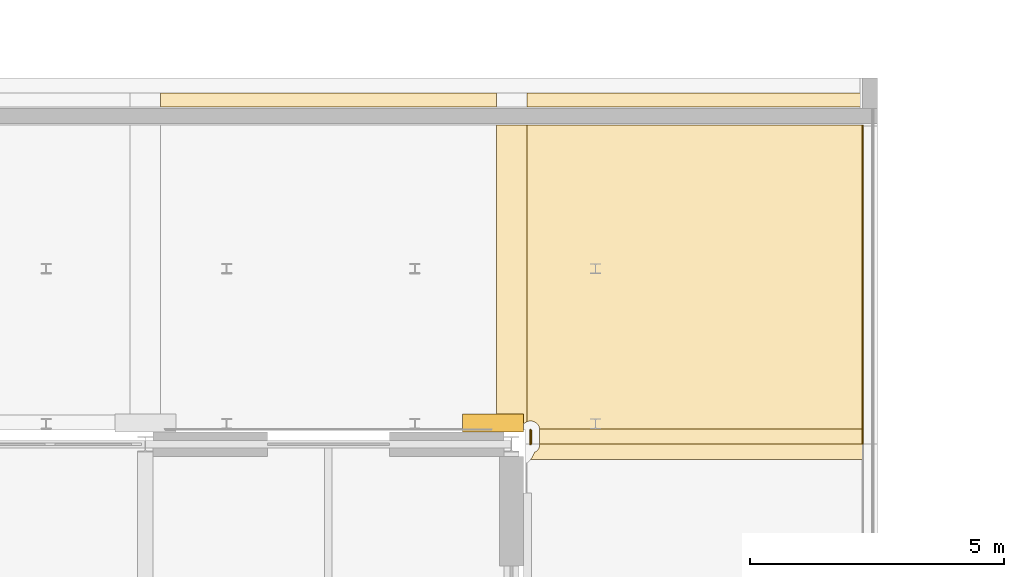
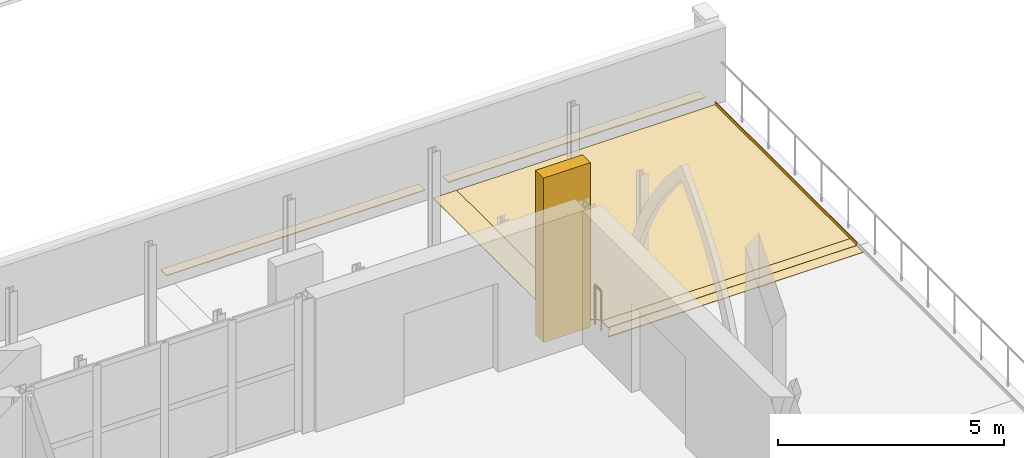
# One storey, part 136 of 143: 8 coverings, 1 railing.
"""IFC4 building model written with IfcOpenShell, lengths in metres."""

from ifc_helpers import new_model, si_unit, direction, frame, origin, origin_2d, place, context, subcontext, project, spatial, polyline, rectangle, circle, outline, extrude, material, layer, layer_set, type_object, element, save


model = new_model("IFC4")

# Units and contexts
model_context = context("Model", 3, precision=1e-05, world=origin(), true_north=direction((0.0, 1.0)))
body_context = subcontext(model_context, "Body", "Model", "MODEL_VIEW")
ifc_project = project(units=[si_unit("LENGTHUNIT", "METRE"), si_unit("AREAUNIT", "SQUARE_METRE"), si_unit("VOLUMEUNIT", "CUBIC_METRE"), si_unit("PLANEANGLEUNIT", "RADIAN"), si_unit("MASSUNIT", "GRAM", prefix="KILO")], contexts=[model_context])

# Site, building, storey
site_placement = place(None, origin())
site = spatial("IfcSite", under=ifc_project, at=site_placement, CompositionType="ELEMENT")
building_placement = place(site_placement, origin())
building = spatial("IfcBuilding", under=site, at=building_placement, Name="Kupolbacken Congress Centre", CompositionType="ELEMENT")
storey_placement = place(building_placement, frame((0.0, 0.0, 7.199951171875)))
storey = spatial("IfcBuildingStorey", under=building, at=storey_placement, Name="L02", CompositionType="ELEMENT", Elevation=7.199951171875)

# Coverings
ifc_material_1 = material(Name="Limestone cladding", Category="masonry")
ifc_layer_1 = layer(ifc_material_1, 0.35009765625)
ifc_layer_set_1 = layer_set([ifc_layer_1], Name="Limestone cladding")
covering_type_1 = type_object("IfcCoveringType", Name="CV3 limestone pilaster strip 350", PredefinedType="CLADDING", material=ifc_layer_set_1)
covering_1_placement = place(storey_placement, frame((201.239990234375, 151.614990234375, 0.0), z_axis=(0.0, 0.0, 1.0), x_axis=(1.0, 0.0, 0.0)))
element("IfcCovering", 1, at=covering_1_placement, inside=storey, type_object=covering_type_1, Name="F/B/N/pil/09/0", PredefinedType="CLADDING", context=body_context, shape_type="SweptSolid", body=[
    extrude(rectangle(XDim=1.199951171875, YDim=0.35009765625, at=origin_2d()), origin(), (0.0, 0.0, 1.0), 4.444091796875),
])
ifc_material_2 = material(Name="Limestone cladding", Category="masonry")
ifc_layer_2 = layer(ifc_material_2, 0.02001953125)
ifc_layer_set_2 = layer_set([ifc_layer_2], Name="Limestone cladding")
covering_type_2 = type_object("IfcCoveringType", Name="GF1 limestone paving 20", PredefinedType="FLOORING", material=ifc_layer_set_2)
covering_2_placement = place(storey_placement, origin())
element("IfcCovering", 2, at=covering_2_placement, inside=storey, type_object=covering_type_2, Name="North deck limestone paving", PredefinedType="FLOORING", context=body_context, shape_type="SweptSolid", body=[
    extrude(outline(polyline([(202.151611328125, 151.510009765625), (202.141357421875, 151.5439453125), (202.1337890625, 151.559814453125), (202.1142578125, 151.589111328125), (202.089111328125, 151.6142578125), (202.059814453125, 151.6337890625), (202.02734375, 151.647216796875), (202.010009765625, 151.651611328125), (201.97509765625, 151.655029296875), (201.93994140625, 151.651611328125), (201.922607421875, 151.647216796875), (201.89990234375, 151.638427734375), (201.89990234375, 157.469970703125), (208.4990234375, 157.469970703125), (208.4990234375, 151.5), (202.153076171875, 151.5), (202.154296875, 151.49267578125), (202.151611328125, 151.510009765625)])), origin(), (0.0, 0.0, 1.0), 0.02001953125),
])
covering_3_placement = place(storey_placement, origin())
element("IfcCovering", 3, at=covering_3_placement, inside=storey, type_object=covering_type_2, Name="North deck limestone paving", PredefinedType="FLOORING", context=body_context, shape_type="SweptSolid", body=[
    extrude(outline(polyline([(201.89990234375, 157.830078125), (201.89990234375, 158.09912109375), (208.468994140625, 158.09912109375), (208.468994140625, 157.830078125), (201.89990234375, 157.830078125)])), origin(), (0.0, 0.0, 1.0), 0.02001953125),
])
covering_4_placement = place(storey_placement, origin())
element("IfcCovering", 4, at=covering_4_placement, inside=storey, type_object=covering_type_2, Name="North deck limestone paving", PredefinedType="FLOORING", context=body_context, shape_type="SweptSolid", body=[
    extrude(outline(polyline([(194.699951171875, 157.830078125), (194.699951171875, 158.09912109375), (201.300048828125, 158.09912109375), (201.300048828125, 157.830078125), (194.699951171875, 157.830078125)])), origin(), (0.0, 0.0, 1.0), 0.02001953125),
])
ifc_material_3 = material(Name="Brick", Category="masonry")
ifc_layer_3 = layer(ifc_material_3, 0.02001953125)
ifc_layer_set_3 = layer_set([ifc_layer_3], Name="Brick")
covering_type_3 = type_object("IfcCoveringType", Name="GF2 brick paving 20", PredefinedType="FLOORING", material=ifc_layer_set_3)
covering_5_placement = place(storey_placement, origin())
element("IfcCovering", 5, at=covering_5_placement, inside=storey, type_object=covering_type_3, Name="North paving band", PredefinedType="FLOORING", context=body_context, shape_type="SweptSolid", body=[
    extrude(outline(polyline([(201.300048828125, 157.469970703125), (201.89990234375, 157.469970703125), (201.89990234375, 151.638427734375), (201.875, 151.624755859375), (201.853271484375, 151.607421875), (201.826416015625, 151.623291015625), (201.78369140625, 151.6435546875), (201.7392578125, 151.659423828125), (201.693603515625, 151.6708984375), (201.647216796875, 151.677734375), (201.60009765625, 151.679931640625), (201.552978515625, 151.677734375), (201.50634765625, 151.6708984375), (201.460693359375, 151.659423828125), (201.416259765625, 151.6435546875), (201.373779296875, 151.623291015625), (201.333251953125, 151.59912109375), (201.300048828125, 151.574462890625), (201.300048828125, 157.469970703125)])), origin(), (0.0, 0.0, 1.0), 0.02001953125),
])
covering_6_placement = place(storey_placement, origin())
element("IfcCovering", 6, at=covering_6_placement, inside=storey, type_object=covering_type_3, Name="North paving band", PredefinedType="FLOORING", context=body_context, shape_type="SweptSolid", body=[
    extrude(outline(polyline([(208.4990234375, 151.5), (208.4990234375, 151.201904296875), (202.155029296875, 151.201904296875), (202.155029296875, 151.4755859375), (202.154296875, 151.49267578125), (202.153076171875, 151.5), (208.4990234375, 151.5)])), origin(), (0.0, 0.0, 1.0), 0.02001953125),
])
covering_7_placement = place(storey_placement, origin())
element("IfcCovering", 7, at=covering_7_placement, inside=storey, type_object=covering_type_3, Name="Ballroom paving band", PredefinedType="FLOORING", context=body_context, shape_type="SweptSolid", body=[
    extrude(outline(polyline([(201.974365234375, 150.89990234375), (201.9990234375, 150.933349609375), (202.0234375, 150.9736328125), (202.04345703125, 151.016357421875), (202.05078125, 151.037109375), (202.074951171875, 151.05029296875), (202.089111328125, 151.060791015625), (202.102294921875, 151.07275390625), (202.124755859375, 151.10009765625), (202.1337890625, 151.114990234375), (202.147216796875, 151.147705078125), (202.151611328125, 151.164794921875), (202.15478515625, 151.197998046875), (208.4990234375, 151.197998046875), (208.4990234375, 150.89990234375), (201.974365234375, 150.89990234375)])), origin(), (0.0, 0.0, 1.0), 0.02001953125),
])
ifc_material_4 = material(Name="Granite setts", Category="masonry")
ifc_layer_4 = layer(ifc_material_4, 0.10009765625)
ifc_layer_set_4 = layer_set([ifc_layer_4], Name="Granite setts")
covering_type_4 = type_object("IfcCoveringType", Name="GR3 granite sett paving 100", PredefinedType="FLOORING", material=ifc_layer_set_4)
covering_8_placement = place(storey_placement, origin())
element("IfcCovering", 8, at=covering_8_placement, inside=storey, type_object=covering_type_4, Name="Granite kerb edging", PredefinedType="FLOORING", context=body_context, shape_type="SweptSolid", body=[
    extrude(outline(polyline([(208.51904296875, 151.201904296875), (208.4990234375, 151.201904296875), (208.4990234375, 157.469970703125), (208.51904296875, 157.469970703125), (208.51904296875, 151.201904296875)])), origin(), (0.0, 0.0, 1.0), 0.10009765625),
])

# Railing
ifc_material_5 = material(Name="Steel S235", Category="steel")
railing_type = type_object("IfcRailingType", Name="RL1 guard 1100 steel balustrade", PredefinedType="GUARDRAIL", material=ifc_material_5)
railing_placement = place(storey_placement, frame((201.97509765625, 151.199951171875, 0.0)))
element("IfcRailing", 9, at=railing_placement, inside=storey, type_object=railing_type, Name="E/deckguard/006", PredefinedType="GUARDRAIL", context=body_context, shape_type="SweptSolid", body=[
    extrude(circle(Radius=0.02392578125, at=origin_2d()), frame((0.0, 0.0, 1.076171875), z_axis=(0.0, 1.0, 0.0), x_axis=(-1.0, 0.0, 0.0)), (0.0, 0.0, 1.0), 0.275146484375),
    extrude(circle(Radius=0.02099609375, at=origin_2d()), origin(), (0.0, 0.0, 1.0), 1.052001953125),
    extrude(circle(Radius=0.02099609375, at=origin_2d()), frame((0.0, 0.275146484375, 0.0)), (0.0, 0.0, 1.0), 1.052001953125),
])

save(model, "model.ifc")
